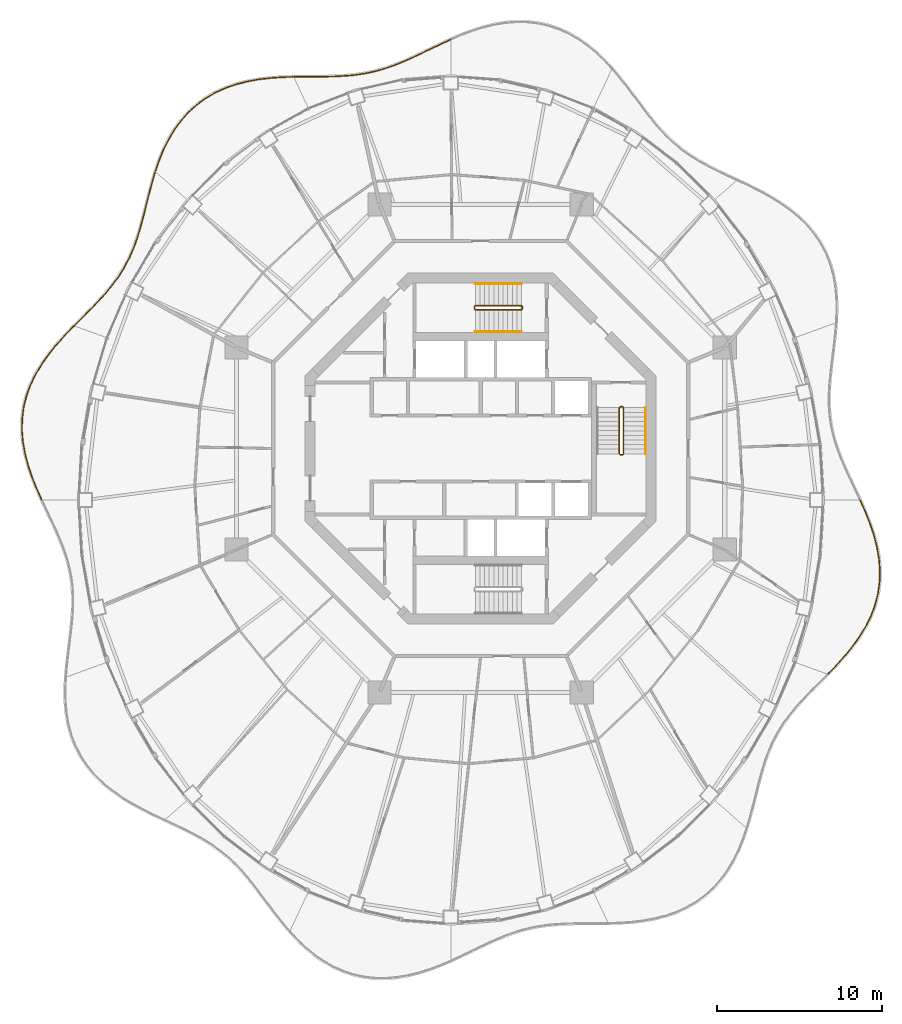
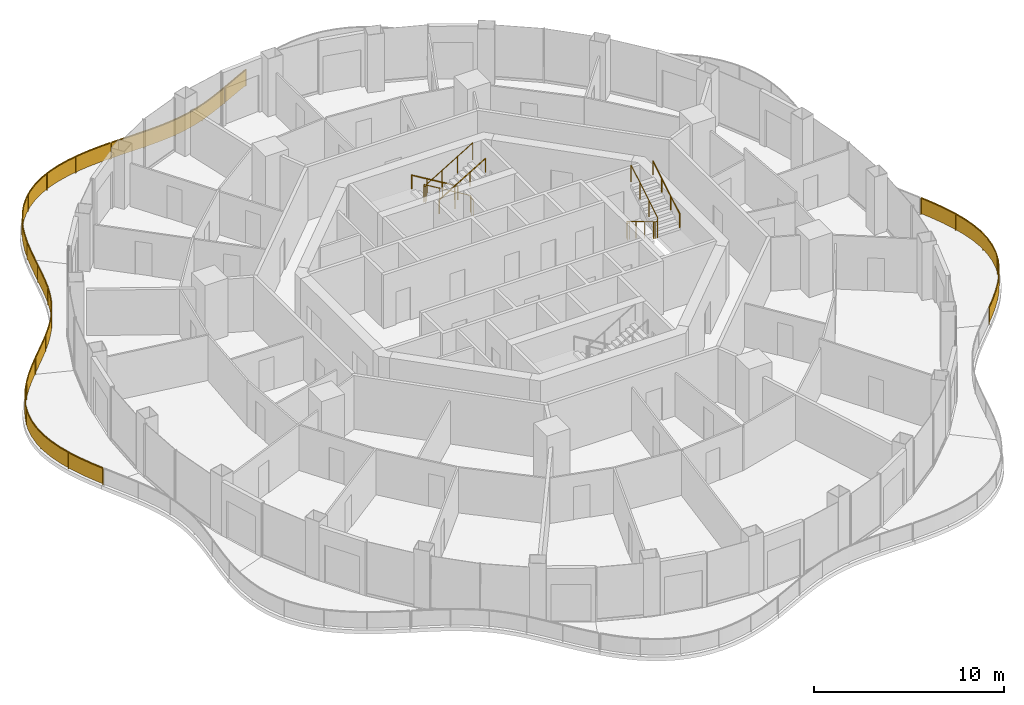
# One storey, part 16 of 17: 10 railings.
"""IFC4 building model written with IfcOpenShell, lengths in metres."""

from ifc_helpers import new_model, si_unit, direction, frame, origin, origin_2d, place, context, subcontext, project, spatial, polyline, rectangle, circle, outline, extrude, material, type_object, element, save


model = new_model("IFC4")

# Units and contexts
model_context = context("Model", 3, precision=1e-05, world=origin(), true_north=direction((0.0, 1.0)))
body_context = subcontext(model_context, "Body", "Model", "MODEL_VIEW")
ifc_project = project(units=[si_unit("LENGTHUNIT", "METRE"), si_unit("AREAUNIT", "SQUARE_METRE"), si_unit("VOLUMEUNIT", "CUBIC_METRE"), si_unit("PLANEANGLEUNIT", "RADIAN"), si_unit("MASSUNIT", "GRAM", prefix="KILO")], contexts=[model_context])

# Site, building, storey
site_placement = place(None, origin())
site = spatial("IfcSite", under=ifc_project, at=site_placement, CompositionType="ELEMENT")
building_placement = place(site_placement, origin())
building = spatial("IfcBuilding", under=site, at=building_placement, Name="Nagisa Residences", CompositionType="ELEMENT")
storey_placement = place(building_placement, frame((0.0, 0.0, 269.60009765625)))
storey = spatial("IfcBuildingStorey", under=building, at=storey_placement, Name="L68", CompositionType="ELEMENT", Elevation=269.60009765625)

# Railings
ifc_material_1 = material(Name="Stainless steel 316", Category="steel")
railing_type_1 = type_object("IfcRailingType", Name="BALCONY GUARD 1100", PredefinedType="BALUSTRADE", material=ifc_material_1)
railing_1_placement = place(storey_placement, frame((-1.83447265625, 24.757080078125, 0.0)))
element("IfcRailing", 1, at=railing_1_placement, inside=storey, type_object=railing_type_1, Name="guard:L68:bal04-0", PredefinedType="BALUSTRADE", context=body_context, shape_type="SweptSolid", body=[
    extrude(outline(polyline([(-0.561279296875, -0.288330078125), (0.010498046875, -0.022705078125), (-0.010498046875, 0.022705078125), (-0.582763671875, -0.242919921875), (-1.182861328125, -0.530517578125), (-1.76904296875, -0.813232421875), (-2.343017578125, -1.082763671875), (-2.908203125, -1.331298828125), (-3.450439453125, -1.55029296875), (-4.0087890625, -1.740478515625), (-4.570556640625, -1.8974609375), (-5.138916015625, -2.020263671875), (-5.718017578125, -2.110107421875), (-6.294189453125, -2.165283203125), (-6.902587890625, -2.200927734375), (-7.528076171875, -2.2177734375), (-8.170166015625, -2.22314453125), (-8.8271484375, -2.225830078125), (-9.45068359375, -2.23095703125), (-9.4501953125, -2.28076171875), (-8.82666015625, -2.275634765625), (-8.169677734375, -2.27294921875), (-7.527099609375, -2.267578125), (-6.900634765625, -2.250732421875), (-6.290283203125, -2.215087890625), (-5.711669921875, -2.159912109375), (-5.129638671875, -2.069580078125), (-4.558349609375, -1.9462890625), (-3.994140625, -1.788330078125), (-3.432861328125, -1.59716796875), (-2.888671875, -1.377197265625), (-2.322509765625, -1.128173828125), (-1.74755859375, -0.858642578125), (-1.161376953125, -0.575439453125), (-0.561279296875, -0.288330078125)])), frame((0.0, 0.0, 1.050048828125)), (0.0, 0.0, 1.0), 0.050048828125),
    extrude(outline(polyline([(-0.569091796875, -0.27197265625), (0.0029296875, -0.00634765625), (-0.0029296875, 0.00634765625), (-0.574951171875, -0.25927734375), (-1.175048828125, -0.546630859375), (-1.76123046875, -0.82958984375), (-2.335693359375, -1.09912109375), (-2.901123046875, -1.347900390625), (-3.444091796875, -1.567138671875), (-4.00341796875, -1.7578125), (-4.566162109375, -1.9150390625), (-5.135498046875, -2.0380859375), (-5.7158203125, -2.128173828125), (-6.292724609375, -2.18310546875), (-6.90185546875, -2.21875), (-7.52783203125, -2.235595703125), (-8.169921875, -2.240966796875), (-8.826904296875, -2.24365234375), (-9.450439453125, -2.248779296875), (-9.450439453125, -2.262939453125), (-8.826904296875, -2.2578125), (-8.169921875, -2.255126953125), (-7.52734375, -2.249755859375), (-6.9013671875, -2.23291015625), (-6.291748046875, -2.197265625), (-5.7138671875, -2.141845703125), (-5.133056640625, -2.0517578125), (-4.562744140625, -1.9287109375), (-3.99951171875, -1.77099609375), (-3.439208984375, -1.580322265625), (-2.895751953125, -1.360595703125), (-2.329833984375, -1.11181640625), (-1.75537109375, -0.84228515625), (-1.169189453125, -0.559326171875), (-0.569091796875, -0.27197265625)])), frame((0.0, 0.0, 0.06005859375)), (0.0, 0.0, 1.0), 0.989990234375),
    extrude(rectangle(XDim=0.0400390625, YDim=0.0400390625, at=origin_2d()), origin(), (0.0, 0.0, 1.0), 1.050048828125),
    extrude(rectangle(XDim=0.0400390625, YDim=0.0400390625, at=origin_2d()), frame((-1.782958984375, -0.84765625, 0.0)), (0.0, 0.0, 1.0), 1.050048828125),
    extrude(rectangle(XDim=0.0400390625, YDim=0.0400390625, at=origin_2d()), frame((-3.59619140625, -1.62646484375, 0.0)), (0.0, 0.0, 1.0), 1.050048828125),
    extrude(rectangle(XDim=0.0400390625, YDim=0.0400390625, at=origin_2d()), frame((-5.50830078125, -2.10302734375, 0.0)), (0.0, 0.0, 1.0), 1.050048828125),
    extrude(rectangle(XDim=0.0400390625, YDim=0.0400390625, at=origin_2d()), frame((-7.476318359375, -2.2412109375, 0.0)), (0.0, 0.0, 1.0), 1.050048828125),
    extrude(rectangle(XDim=0.0400390625, YDim=0.0400390625, at=origin_2d()), frame((-9.450439453125, -2.255859375, 0.0)), (0.0, 0.0, 1.0), 1.050048828125),
])
railing_2_placement = place(storey_placement, frame((-11.361083984375, 22.501220703125, 0.0)))
element("IfcRailing", 2, at=railing_2_placement, inside=storey, type_object=railing_type_1, Name="guard:L68:bal05-0", PredefinedType="BALUSTRADE", context=body_context, shape_type="SweptSolid", body=[
    extrude(outline(polyline([(-0.65673828125, -0.044677734375), (0.000732421875, -0.02490234375), (-0.000732421875, 0.02490234375), (-0.6591796875, 0.005126953125), (-1.367919921875, -0.04443359375), (-2.074462890625, -0.12841796875), (-2.7724609375, -0.2548828125), (-3.45166015625, -0.42919921875), (-4.09814453125, -0.65087890625), (-4.725830078125, -0.937744140625), (-5.31640625, -1.283447265625), (-5.864990234375, -1.687255859375), (-6.366943359375, -2.146484375), (-6.807861328125, -2.646728515625), (-7.2109375, -3.203369140625), (-7.56494140625, -3.799072265625), (-7.872802734375, -4.42626953125), (-8.138427734375, -5.076904296875), (-8.35009765625, -5.699462890625), (-8.302734375, -5.715576171875), (-8.091552734375, -5.094482421875), (-7.826904296875, -4.44677734375), (-7.52099609375, -3.822998046875), (-7.1689453125, -3.230712890625), (-6.768798828125, -2.677978515625), (-6.331298828125, -2.181640625), (-5.833251953125, -1.725830078125), (-5.2890625, -1.325439453125), (-4.702880859375, -0.982177734375), (-4.07958984375, -0.697265625), (-3.4375, -0.47705078125), (-2.76171875, -0.3037109375), (-2.067138671875, -0.177734375), (-1.363037109375, -0.09423828125), (-0.65673828125, -0.044677734375)])), frame((0.0, 0.0, 1.050048828125)), (0.0, 0.0, 1.0), 0.050048828125),
    extrude(outline(polyline([(-0.65771484375, -0.02685546875), (0.000244140625, -0.007080078125), (-0.000244140625, 0.007080078125), (-0.658203125, -0.0126953125), (-1.3662109375, -0.062255859375), (-2.07177734375, -0.146240234375), (-2.7685546875, -0.2724609375), (-3.446533203125, -0.446533203125), (-4.091552734375, -0.66748046875), (-4.717529296875, -0.953857421875), (-5.306640625, -1.298583984375), (-5.853515625, -1.701171875), (-6.35400390625, -2.1591796875), (-6.793701171875, -2.657958984375), (-7.19580078125, -3.213134765625), (-7.549072265625, -3.8076171875), (-7.856201171875, -4.43359375), (-8.12158203125, -5.083251953125), (-8.3330078125, -5.705322265625), (-8.31982421875, -5.709716796875), (-8.1083984375, -5.088134765625), (-7.843505859375, -4.439453125), (-7.536865234375, -3.814453125), (-7.18408203125, -3.220947265625), (-6.782958984375, -2.666748046875), (-6.34423828125, -2.1689453125), (-5.8447265625, -1.7119140625), (-5.298828125, -1.310302734375), (-4.711181640625, -0.966064453125), (-4.086181640625, -0.6806640625), (-3.442626953125, -0.459716796875), (-2.765625, -0.2861328125), (-2.06982421875, -0.159912109375), (-1.36474609375, -0.076416015625), (-0.65771484375, -0.02685546875)])), frame((0.0, 0.0, 0.06005859375)), (0.0, 0.0, 1.0), 0.989990234375),
    extrude(rectangle(XDim=0.0400390625, YDim=0.0400390625, at=origin_2d()), origin(), (0.0, 0.0, 1.0), 1.050048828125),
    extrude(rectangle(XDim=0.0400390625, YDim=0.0400390625, at=origin_2d()), frame((-2.1884765625, -0.17431640625, 0.0)), (0.0, 0.0, 1.0), 1.050048828125),
    extrude(rectangle(XDim=0.0400390625, YDim=0.0400390625, at=origin_2d()), frame((-4.296875, -0.76904296875, 0.0)), (0.0, 0.0, 1.0), 1.050048828125),
    extrude(rectangle(XDim=0.0400390625, YDim=0.0400390625, at=origin_2d()), frame((-6.1279296875, -1.961669921875, 0.0)), (0.0, 0.0, 1.0), 1.050048828125),
    extrude(rectangle(XDim=0.0400390625, YDim=0.0400390625, at=origin_2d()), frame((-7.47021484375, -3.6884765625, 0.0)), (0.0, 0.0, 1.0), 1.050048828125),
    extrude(rectangle(XDim=0.0400390625, YDim=0.0400390625, at=origin_2d()), frame((-8.326416015625, -5.70751953125, 0.0)), (0.0, 0.0, 1.0), 1.050048828125),
])
railing_3_placement = place(storey_placement, frame((-19.709716796875, 16.719970703125, 0.0)))
element("IfcRailing", 3, at=railing_3_placement, inside=storey, type_object=railing_type_1, Name="guard:L68:bal06-0", PredefinedType="BALUSTRADE", context=body_context, shape_type="SweptSolid", body=[
    extrude(outline(polyline([(-0.169677734375, -0.66796875), (0.02392578125, -0.007080078125), (-0.02392578125, 0.007080078125), (-0.218017578125, -0.654296875), (-0.404541015625, -1.358154296875), (-0.578369140625, -2.052734375), (-0.75, -2.731201171875), (-0.929443359375, -3.388671875), (-1.117919921875, -4.00830078125), (-1.340576171875, -4.614501953125), (-1.595947265625, -5.19384765625), (-1.888916015625, -5.74853515625), (-2.221923828125, -6.281005859375), (-2.589111328125, -6.78271484375), (-3.001953125, -7.284912109375), (-3.449462890625, -7.77978515625), (-3.9248046875, -8.2734375), (-4.420166015625, -8.771484375), (-4.894287109375, -9.245849609375), (-4.859130859375, -9.281005859375), (-4.384521484375, -8.806640625), (-3.88916015625, -8.30859375), (-3.412841796875, -7.81396484375), (-2.9638671875, -7.317626953125), (-2.549560546875, -6.8134765625), (-2.180419921875, -6.309326171875), (-1.845458984375, -5.7734375), (-1.551025390625, -5.2158203125), (-1.294189453125, -4.633056640625), (-1.070556640625, -4.0244140625), (-0.881591796875, -3.40234375), (-0.70166015625, -2.743896484375), (-0.530029296875, -2.06494140625), (-0.356201171875, -1.370849609375), (-0.169677734375, -0.66796875)])), frame((0.0, 0.0, 1.050048828125)), (0.0, 0.0, 1.0), 0.050048828125),
    extrude(outline(polyline([(-0.18701171875, -0.6630859375), (0.0068359375, -0.001953125), (-0.0068359375, 0.001953125), (-0.20068359375, -0.6591796875), (-0.38720703125, -1.36279296875), (-0.56103515625, -2.05712890625), (-0.732666015625, -2.73583984375), (-0.912353515625, -3.3935546875), (-1.100830078125, -4.01416015625), (-1.323974609375, -4.62109375), (-1.579833984375, -5.201904296875), (-1.873291015625, -5.757568359375), (-2.20703125, -6.291259765625), (-2.574951171875, -6.793701171875), (-2.98828125, -7.296630859375), (-3.436279296875, -7.7919921875), (-3.911865234375, -8.2861328125), (-4.4072265625, -8.7841796875), (-4.881591796875, -9.258544921875), (-4.871826171875, -9.268310546875), (-4.3974609375, -8.7939453125), (-3.902099609375, -8.2958984375), (-3.426025390625, -7.8017578125), (-2.9775390625, -7.305908203125), (-2.563720703125, -6.802490234375), (-2.1953125, -6.299072265625), (-1.861083984375, -5.764404296875), (-1.567138671875, -5.207763671875), (-1.310791015625, -4.62646484375), (-1.087646484375, -4.0185546875), (-0.898681640625, -3.3974609375), (-0.718994140625, -2.7392578125), (-0.54736328125, -2.060546875), (-0.37353515625, -1.3662109375), (-0.18701171875, -0.6630859375)])), frame((0.0, 0.0, 0.06005859375)), (0.0, 0.0, 1.0), 0.989990234375),
    extrude(rectangle(XDim=0.0400390625, YDim=0.0400390625, at=origin_2d()), origin(), (0.0, 0.0, 1.0), 1.050048828125),
    extrude(rectangle(XDim=0.0400390625, YDim=0.0400390625, at=origin_2d()), frame((-0.556396484375, -2.0673828125, 0.0)), (0.0, 0.0, 1.0), 1.050048828125),
    extrude(rectangle(XDim=0.0400390625, YDim=0.0400390625, at=origin_2d()), frame((-1.13525390625, -4.128173828125, 0.0)), (0.0, 0.0, 1.0), 1.050048828125),
    extrude(rectangle(XDim=0.0400390625, YDim=0.0400390625, at=origin_2d()), frame((-2.052490234375, -6.057373046875, 0.0)), (0.0, 0.0, 1.0), 1.050048828125),
    extrude(rectangle(XDim=0.0400390625, YDim=0.0400390625, at=origin_2d()), frame((-3.376220703125, -7.736083984375, 0.0)), (0.0, 0.0, 1.0), 1.050048828125),
    extrude(rectangle(XDim=0.0400390625, YDim=0.0400390625, at=origin_2d()), frame((-4.876708984375, -9.263427734375, 0.0)), (0.0, 0.0, 1.0), 1.050048828125),
])
railing_4_placement = place(storey_placement, frame((-24.64111328125, 7.403076171875, 0.0)))
element("IfcRailing", 4, at=railing_4_placement, inside=storey, type_object=railing_type_1, Name="guard:L68:bal07-0", PredefinedType="BALUSTRADE", context=body_context, shape_type="SweptSolid", body=[
    extrude(outline(polyline([(-0.470947265625, -0.522216796875), (0.01806640625, -0.017333984375), (-0.01806640625, 0.017333984375), (-0.507568359375, -0.488037109375), (-1.011962890625, -1.046875), (-1.488037109375, -1.628662109375), (-1.923583984375, -2.234375), (-2.306396484375, -2.865234375), (-2.623291015625, -3.505859375), (-2.872802734375, -4.18212890625), (-3.04638671875, -4.87646484375), (-3.140625, -5.58447265625), (-3.15673828125, -6.302001953125), (-3.095458984375, -7.010009765625), (-2.966064453125, -7.731689453125), (-2.77587890625, -8.448486328125), (-2.535400390625, -9.156982421875), (-2.256591796875, -9.85400390625), (-1.969482421875, -10.496337890625), (-1.923583984375, -10.475830078125), (-2.210693359375, -9.83447265625), (-2.488525390625, -9.139404296875), (-2.72802734375, -8.433837890625), (-2.917236328125, -7.720947265625), (-3.045654296875, -7.003662109375), (-3.1064453125, -6.300537109375), (-3.0908203125, -5.58837890625), (-2.9970703125, -4.8857421875), (-2.824951171875, -4.19677734375), (-2.577392578125, -3.52587890625), (-2.262451171875, -2.88916015625), (-1.881591796875, -2.26220703125), (-1.448486328125, -1.658935546875), (-0.973876953125, -1.07958984375), (-0.470947265625, -0.522216796875)])), frame((0.0, 0.0, 1.050048828125)), (0.0, 0.0, 1.0), 0.050048828125),
    extrude(outline(polyline([(-0.484130859375, -0.510009765625), (0.005126953125, -0.0048828125), (-0.005126953125, 0.0048828125), (-0.494384765625, -0.500244140625), (-0.998291015625, -1.05859375), (-1.473876953125, -1.6396484375), (-1.908447265625, -2.244384765625), (-2.29052734375, -2.873779296875), (-2.606689453125, -3.51318359375), (-2.85546875, -4.1875), (-3.028564453125, -4.8798828125), (-3.122802734375, -5.5859375), (-3.138671875, -6.301513671875), (-3.077392578125, -7.0078125), (-2.948486328125, -7.727783203125), (-2.758544921875, -8.443115234375), (-2.5185546875, -9.150634765625), (-2.239990234375, -9.846923828125), (-1.952880859375, -10.489013671875), (-1.940185546875, -10.483154296875), (-2.227294921875, -9.841552734375), (-2.50537109375, -9.145751953125), (-2.745361328125, -8.439208984375), (-2.934814453125, -7.724853515625), (-3.063720703125, -7.005859375), (-3.12451171875, -6.301025390625), (-3.108642578125, -5.5869140625), (-3.014892578125, -4.88232421875), (-2.84228515625, -4.19140625), (-2.593994140625, -3.5185546875), (-2.2783203125, -2.880615234375), (-1.896728515625, -2.252197265625), (-1.462646484375, -1.64794921875), (-0.987548828125, -1.06787109375), (-0.484130859375, -0.510009765625)])), frame((0.0, 0.0, 0.06005859375)), (0.0, 0.0, 1.0), 0.989990234375),
    extrude(rectangle(XDim=0.0400390625, YDim=0.0400390625, at=origin_2d()), origin(), (0.0, 0.0, 1.0), 1.050048828125),
    extrude(rectangle(XDim=0.0400390625, YDim=0.0400390625, at=origin_2d()), frame((-1.5390625, -1.742431640625, 0.0)), (0.0, 0.0, 1.0), 1.050048828125),
    extrude(rectangle(XDim=0.0400390625, YDim=0.0400390625, at=origin_2d()), frame((-2.688720703125, -3.755615234375, 0.0)), (0.0, 0.0, 1.0), 1.050048828125),
    extrude(rectangle(XDim=0.0400390625, YDim=0.0400390625, at=origin_2d()), frame((-3.12548828125, -6.026123046875, 0.0)), (0.0, 0.0, 1.0), 1.050048828125),
    extrude(rectangle(XDim=0.0400390625, YDim=0.0400390625, at=origin_2d()), frame((-2.78466796875, -8.318115234375, 0.0)), (0.0, 0.0, 1.0), 1.050048828125),
    extrude(rectangle(XDim=0.0400390625, YDim=0.0400390625, at=origin_2d()), frame((-1.946533203125, -10.486083984375, 0.0)), (0.0, 0.0, 1.0), 1.050048828125),
])
railing_5_placement = place(storey_placement, frame((21.041015625, -13.638427734375, 0.0)))
element("IfcRailing", 5, at=railing_5_placement, inside=storey, type_object=railing_type_1, Name="guard:L68:bal15-0", PredefinedType="BALUSTRADE", context=body_context, shape_type="SweptSolid", body=[
    extrude(outline(polyline([(0.47119140625, 0.522216796875), (-0.01806640625, 0.017333984375), (0.01806640625, -0.017333984375), (0.5078125, 0.488037109375), (1.011962890625, 1.046875), (1.488037109375, 1.62841796875), (1.923583984375, 2.234375), (2.306396484375, 2.865234375), (2.623291015625, 3.505859375), (2.873046875, 4.18212890625), (3.04638671875, 4.87646484375), (3.140869140625, 5.58447265625), (3.15673828125, 6.302001953125), (3.095458984375, 7.010009765625), (2.966064453125, 7.731689453125), (2.77587890625, 8.448486328125), (2.535400390625, 9.156982421875), (2.2568359375, 9.85400390625), (1.9697265625, 10.496337890625), (1.923828125, 10.475830078125), (2.2109375, 9.83447265625), (2.488525390625, 9.139404296875), (2.72802734375, 8.433837890625), (2.917236328125, 7.720947265625), (3.045654296875, 7.003662109375), (3.1064453125, 6.300537109375), (3.091064453125, 5.58837890625), (2.9970703125, 4.8857421875), (2.8251953125, 4.19677734375), (2.577392578125, 3.52587890625), (2.262451171875, 2.88916015625), (1.881591796875, 2.26220703125), (1.448486328125, 1.65869140625), (0.973876953125, 1.07958984375), (0.47119140625, 0.522216796875)])), frame((0.0, 0.0, 1.050048828125)), (0.0, 0.0, 1.0), 0.050048828125),
    extrude(outline(polyline([(0.484375, 0.510009765625), (-0.005126953125, 0.0048828125), (0.005126953125, -0.0048828125), (0.49462890625, 0.500244140625), (0.998291015625, 1.05859375), (1.473876953125, 1.639404296875), (1.908447265625, 2.244384765625), (2.29052734375, 2.873779296875), (2.606689453125, 3.51318359375), (2.855712890625, 4.1875), (3.028564453125, 4.8798828125), (3.123046875, 5.5859375), (3.138671875, 6.301513671875), (3.077392578125, 7.0078125), (2.948486328125, 7.727783203125), (2.758544921875, 8.443115234375), (2.5185546875, 9.150634765625), (2.240234375, 9.846923828125), (1.953125, 10.489013671875), (1.9404296875, 10.483154296875), (2.2275390625, 9.841552734375), (2.50537109375, 9.145751953125), (2.745361328125, 8.439208984375), (2.934814453125, 7.724853515625), (3.063720703125, 7.005859375), (3.12451171875, 6.301025390625), (3.10888671875, 5.5869140625), (3.014892578125, 4.88232421875), (2.842529296875, 4.19140625), (2.593994140625, 3.5185546875), (2.2783203125, 2.880615234375), (1.896728515625, 2.252197265625), (1.462646484375, 1.647705078125), (0.987548828125, 1.06787109375), (0.484375, 0.510009765625)])), frame((0.0, 0.0, 0.06005859375)), (0.0, 0.0, 1.0), 0.989990234375),
    extrude(rectangle(XDim=0.0400390625, YDim=0.0400390625, at=origin_2d()), origin(), (0.0, 0.0, 1.0), 1.050048828125),
    extrude(rectangle(XDim=0.0400390625, YDim=0.0400390625, at=origin_2d()), frame((1.5390625, 1.7421875, 0.0)), (0.0, 0.0, 1.0), 1.050048828125),
    extrude(rectangle(XDim=0.0400390625, YDim=0.0400390625, at=origin_2d()), frame((2.68896484375, 3.75537109375, 0.0)), (0.0, 0.0, 1.0), 1.050048828125),
    extrude(rectangle(XDim=0.0400390625, YDim=0.0400390625, at=origin_2d()), frame((3.12548828125, 6.02587890625, 0.0)), (0.0, 0.0, 1.0), 1.050048828125),
    extrude(rectangle(XDim=0.0400390625, YDim=0.0400390625, at=origin_2d()), frame((2.78466796875, 8.318115234375, 0.0)), (0.0, 0.0, 1.0), 1.050048828125),
    extrude(rectangle(XDim=0.0400390625, YDim=0.0400390625, at=origin_2d()), frame((1.94677734375, 10.486083984375, 0.0)), (0.0, 0.0, 1.0), 1.050048828125),
])
ifc_material_2 = material(Name="Stainless steel", Category="steel")
railing_type_2 = type_object("IfcRailingType", Name="Stair guard 1100", PredefinedType="GUARDRAIL", material=ifc_material_2)
railing_6_placement = place(storey_placement, frame((8.599609375, 2.52490234375, 0.0)))
element("IfcRailing", 6, at=railing_6_placement, inside=storey, type_object=railing_type_2, Name="L68 ST-E stair guard 1", PredefinedType="GUARDRAIL", context=body_context, shape_type="SweptSolid", body=[
    extrude(circle(Radius=0.02392578125, at=origin_2d()), frame((0.0, 0.0, 1.076171875), z_axis=(-1.0, 0.0, 0.0), x_axis=(0.0, -1.0, 0.0)), (0.0, 0.0, 1.0), 0.14990234375),
    extrude(circle(Radius=0.02392578125, at=origin_2d()), frame((-0.14990234375, 0.0, 1.076171875), z_axis=(-0.274683208305, -0.273343290215, 0.921863645432), x_axis=(0.705375805398, -0.708833529934, 0.0)), (0.0, 0.0, 1.0), 0.18212890625),
    extrude(circle(Radius=0.02392578125, at=origin_2d()), frame((-0.199951171875, -0.0498046875, 1.244140625), z_axis=(0.0, -0.857242210791, 0.514913383045), x_axis=(1.0, 0.0, 0.0)), (0.0, 0.0, 1.0), 3.266357421875),
    extrude(circle(Radius=0.02392578125, at=origin_2d()), frame((-0.199951171875, -2.849853515625, 2.92578125), z_axis=(0.707106781187, -0.707106781187, 0.0), x_axis=(0.707106781187, 0.707106781187, 0.0)), (0.0, 0.0, 1.0), 0.07080078125),
    extrude(circle(Radius=0.02392578125, at=origin_2d()), frame((-0.14990234375, -2.89990234375, 2.92578125), z_axis=(1.0, 0.0, 0.0), x_axis=(0.0, 1.0, 0.0)), (0.0, 0.0, 1.0), 0.14990234375),
    extrude(circle(Radius=0.02392578125, at=origin_2d()), frame((0.0, -2.89990234375, 2.92578125), z_axis=(0.274243871929, 0.274243871929, 0.92172696468), x_axis=(-0.707106781187, 0.707106781187, 0.0)), (0.0, 0.0, 1.0), 0.1826171875),
    extrude(circle(Radius=0.02392578125, at=origin_2d()), frame((0.050048828125, -2.849853515625, 3.09423828125), z_axis=(0.0, 0.857242210791, 0.514913383045), x_axis=(-1.0, 0.0, 0.0)), (0.0, 0.0, 1.0), 3.266357421875),
    extrude(circle(Radius=0.02099609375, at=origin_2d()), origin(), (0.0, 0.0, 1.0), 1.052001953125),
    extrude(circle(Radius=0.02099609375, at=origin_2d()), frame((-0.14990234375, 0.0, 0.0)), (0.0, 0.0, 1.0), 1.052001953125),
    extrude(circle(Radius=0.02099609375, at=origin_2d()), frame((-0.199951171875, -0.0498046875, 0.16796875)), (0.0, 0.0, 1.0), 1.052001953125),
    extrude(circle(Radius=0.02099609375, at=origin_2d()), frame((-0.199951171875, -0.983154296875, 0.728515625)), (0.0, 0.0, 1.0), 1.052001953125),
    extrude(circle(Radius=0.02099609375, at=origin_2d()), frame((-0.199951171875, -1.91650390625, 1.289306640625)), (0.0, 0.0, 1.0), 1.052001953125),
    extrude(circle(Radius=0.02099609375, at=origin_2d()), frame((-0.199951171875, -2.849853515625, 1.849853515625)), (0.0, 0.0, 1.0), 1.052001953125),
    extrude(circle(Radius=0.02099609375, at=origin_2d()), frame((-0.14990234375, -2.89990234375, 1.849853515625)), (0.0, 0.0, 1.0), 1.052001953125),
    extrude(circle(Radius=0.02099609375, at=origin_2d()), frame((0.0, -2.89990234375, 1.849853515625)), (0.0, 0.0, 1.0), 1.052001953125),
    extrude(circle(Radius=0.02099609375, at=origin_2d()), frame((0.050048828125, -2.849853515625, 2.01806640625)), (0.0, 0.0, 1.0), 1.052001953125),
    extrude(circle(Radius=0.02099609375, at=origin_2d()), frame((0.050048828125, -1.91650390625, 2.57861328125)), (0.0, 0.0, 1.0), 1.052001953125),
    extrude(circle(Radius=0.02099609375, at=origin_2d()), frame((0.050048828125, -0.983154296875, 3.139404296875)), (0.0, 0.0, 1.0), 1.052001953125),
    extrude(circle(Radius=0.02099609375, at=origin_2d()), frame((0.050048828125, -0.0498046875, 3.699951171875)), (0.0, 0.0, 1.0), 1.052001953125),
])
railing_7_placement = place(storey_placement, frame((2.52490234375, 8.44970703125, 0.0)))
element("IfcRailing", 7, at=railing_7_placement, inside=storey, type_object=railing_type_2, Name="L68 ST-N stair guard 1", PredefinedType="GUARDRAIL", context=body_context, shape_type="SweptSolid", body=[
    extrude(circle(Radius=0.02392578125, at=origin_2d()), frame((0.0, 0.0, 1.076171875), z_axis=(0.0, 1.0, 0.0), x_axis=(-1.0, 0.0, 0.0)), (0.0, 0.0, 1.0), 0.14990234375),
    extrude(circle(Radius=0.02392578125, at=origin_2d()), frame((0.0, 0.14990234375, 1.076171875), z_axis=(-0.273343290215, 0.274683208305, 0.921863645432), x_axis=(-0.708833529934, -0.705375805398, 0.0)), (0.0, 0.0, 1.0), 0.18212890625),
    extrude(circle(Radius=0.02392578125, at=origin_2d()), frame((-0.0498046875, 0.199951171875, 1.244140625), z_axis=(-0.857242210791, 0.0, 0.514913383045), x_axis=(0.0, -1.0, 0.0)), (0.0, 0.0, 1.0), 3.266357421875),
    extrude(circle(Radius=0.02392578125, at=origin_2d()), frame((-2.849853515625, 0.199951171875, 2.92578125), z_axis=(-0.707106781187, -0.707106781187, 0.0), x_axis=(0.707106781187, -0.707106781187, 0.0)), (0.0, 0.0, 1.0), 0.07080078125),
    extrude(circle(Radius=0.02392578125, at=origin_2d()), frame((-2.89990234375, 0.14990234375, 2.92578125), z_axis=(0.0, -1.0, 0.0), x_axis=(1.0, 0.0, 0.0)), (0.0, 0.0, 1.0), 0.14990234375),
    extrude(circle(Radius=0.02392578125, at=origin_2d()), frame((-2.89990234375, 0.0, 2.92578125), z_axis=(0.274243871929, -0.274243871929, 0.92172696468), x_axis=(0.707106781187, 0.707106781187, 0.0)), (0.0, 0.0, 1.0), 0.1826171875),
    extrude(circle(Radius=0.02392578125, at=origin_2d()), frame((-2.849853515625, -0.050048828125, 3.09423828125), z_axis=(0.857242210791, 0.0, 0.514913383045), x_axis=(0.0, 1.0, 0.0)), (0.0, 0.0, 1.0), 3.266357421875),
    extrude(circle(Radius=0.02099609375, at=origin_2d()), origin(), (0.0, 0.0, 1.0), 1.052001953125),
    extrude(circle(Radius=0.02099609375, at=origin_2d()), frame((0.0, 0.14990234375, 0.0)), (0.0, 0.0, 1.0), 1.052001953125),
    extrude(circle(Radius=0.02099609375, at=origin_2d()), frame((-0.0498046875, 0.199951171875, 0.16796875)), (0.0, 0.0, 1.0), 1.052001953125),
    extrude(circle(Radius=0.02099609375, at=origin_2d()), frame((-0.983154296875, 0.199951171875, 0.728515625)), (0.0, 0.0, 1.0), 1.052001953125),
    extrude(circle(Radius=0.02099609375, at=origin_2d()), frame((-1.91650390625, 0.199951171875, 1.289306640625)), (0.0, 0.0, 1.0), 1.052001953125),
    extrude(circle(Radius=0.02099609375, at=origin_2d()), frame((-2.849853515625, 0.199951171875, 1.849853515625)), (0.0, 0.0, 1.0), 1.052001953125),
    extrude(circle(Radius=0.02099609375, at=origin_2d()), frame((-2.89990234375, 0.14990234375, 1.849853515625)), (0.0, 0.0, 1.0), 1.052001953125),
    extrude(circle(Radius=0.02099609375, at=origin_2d()), frame((-2.89990234375, 0.0, 1.849853515625)), (0.0, 0.0, 1.0), 1.052001953125),
    extrude(circle(Radius=0.02099609375, at=origin_2d()), frame((-2.849853515625, -0.050048828125, 2.01806640625)), (0.0, 0.0, 1.0), 1.052001953125),
    extrude(circle(Radius=0.02099609375, at=origin_2d()), frame((-1.91650390625, -0.050048828125, 2.57861328125)), (0.0, 0.0, 1.0), 1.052001953125),
    extrude(circle(Radius=0.02099609375, at=origin_2d()), frame((-0.983154296875, -0.050048828125, 3.139404296875)), (0.0, 0.0, 1.0), 1.052001953125),
    extrude(circle(Radius=0.02099609375, at=origin_2d()), frame((-0.0498046875, -0.050048828125, 3.699951171875)), (0.0, 0.0, 1.0), 1.052001953125),
])
ifc_material_3 = material(Name="Stainless steel", Category="steel")
railing_type_3 = type_object("IfcRailingType", Name="Stair handrail 900", PredefinedType="HANDRAIL", material=ifc_material_3)
railing_8_placement = place(storey_placement, frame((9.974609375, -0.324951171875, 2.01806640625)))
element("IfcRailing", 8, at=railing_8_placement, inside=storey, type_object=railing_type_3, Name="L68 ST-E stair handrail 2", PredefinedType="HANDRAIL", context=body_context, shape_type="SweptSolid", body=[
    extrude(circle(Radius=0.02392578125, at=origin_2d()), frame((0.0, 0.0, 0.8759765625), z_axis=(0.0, 0.857242210791, 0.514913383045), x_axis=(-1.0, 0.0, 0.0)), (0.0, 0.0, 1.0), 3.266357421875),
    extrude(circle(Radius=0.02099609375, at=origin_2d()), origin(), (0.0, 0.0, 1.0), 0.851806640625),
    extrude(circle(Radius=0.02099609375, at=origin_2d()), frame((0.0, 0.933349609375, 0.560546875)), (0.0, 0.0, 1.0), 0.851806640625),
    extrude(circle(Radius=0.02099609375, at=origin_2d()), frame((0.0, 1.86669921875, 1.121337890625)), (0.0, 0.0, 1.0), 0.851806640625),
    extrude(circle(Radius=0.02099609375, at=origin_2d()), frame((0.0, 2.800048828125, 1.681884765625)), (0.0, 0.0, 1.0), 0.851806640625),
])
railing_9_placement = place(storey_placement, frame((2.47509765625, 9.974609375, 0.16796875)))
element("IfcRailing", 9, at=railing_9_placement, inside=storey, type_object=railing_type_3, Name="L68 ST-N stair handrail 1", PredefinedType="HANDRAIL", context=body_context, shape_type="SweptSolid", body=[
    extrude(circle(Radius=0.02392578125, at=origin_2d()), frame((0.0, 0.0, 0.8759765625), z_axis=(-0.857242210791, 0.0, 0.514913383045), x_axis=(0.0, -1.0, 0.0)), (0.0, 0.0, 1.0), 3.266357421875),
    extrude(circle(Radius=0.02099609375, at=origin_2d()), origin(), (0.0, 0.0, 1.0), 0.851806640625),
    extrude(circle(Radius=0.02099609375, at=origin_2d()), frame((-0.933349609375, 0.0, 0.560546875)), (0.0, 0.0, 1.0), 0.851806640625),
    extrude(circle(Radius=0.02099609375, at=origin_2d()), frame((-1.86669921875, 0.0, 1.121337890625)), (0.0, 0.0, 1.0), 0.851806640625),
    extrude(circle(Radius=0.02099609375, at=origin_2d()), frame((-2.800048828125, 0.0, 1.681884765625)), (0.0, 0.0, 1.0), 0.851806640625),
])
railing_10_placement = place(storey_placement, frame((-0.324951171875, 7.07470703125, 2.01806640625)))
element("IfcRailing", 10, at=railing_10_placement, inside=storey, type_object=railing_type_3, Name="L68 ST-N stair handrail 2", PredefinedType="HANDRAIL", context=body_context, shape_type="SweptSolid", body=[
    extrude(circle(Radius=0.02392578125, at=origin_2d()), frame((0.0, 0.0, 0.8759765625), z_axis=(0.857242210791, 0.0, 0.514913383045), x_axis=(0.0, 1.0, 0.0)), (0.0, 0.0, 1.0), 3.266357421875),
    extrude(circle(Radius=0.02099609375, at=origin_2d()), origin(), (0.0, 0.0, 1.0), 0.851806640625),
    extrude(circle(Radius=0.02099609375, at=origin_2d()), frame((0.933349609375, 0.0, 0.560546875)), (0.0, 0.0, 1.0), 0.851806640625),
    extrude(circle(Radius=0.02099609375, at=origin_2d()), frame((1.86669921875, 0.0, 1.121337890625)), (0.0, 0.0, 1.0), 0.851806640625),
    extrude(circle(Radius=0.02099609375, at=origin_2d()), frame((2.800048828125, 0.0, 1.681884765625)), (0.0, 0.0, 1.0), 0.851806640625),
])

save(model, "model.ifc")
